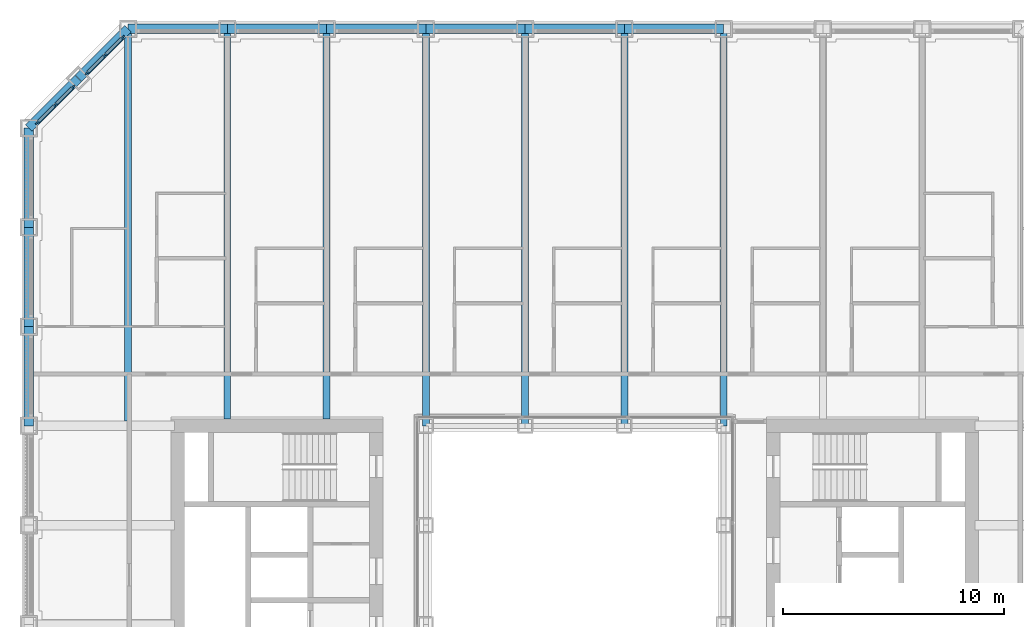
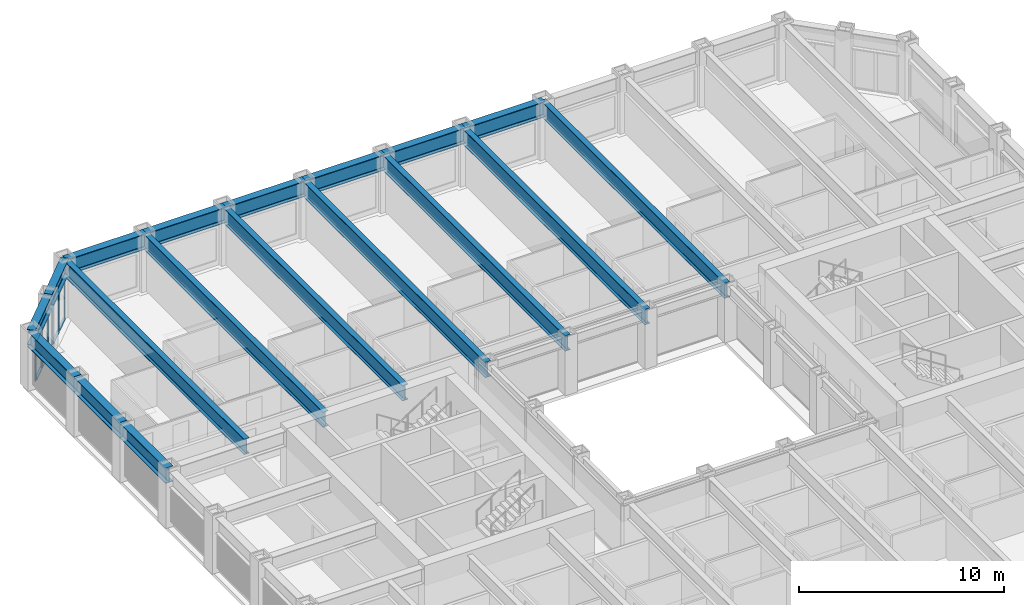
# One storey, part 6 of 21: 18 beams, 14 members, 2 elements without a shape of their own.
"""IFC4 building model written with IfcOpenShell, lengths in metres."""

from ifc_helpers import new_model, si_unit, direction, frame, origin, origin_2d, place, context, subcontext, project, spatial, rectangle, i_section, extrude, material, material_profile, profile_set, type_object, element, aggregate, save


model = new_model("IFC4")

# Units and contexts
model_context = context("Model", 3, precision=1e-05, world=origin(), true_north=direction((0.0, 1.0)))
body_context = subcontext(model_context, "Body", "Model", "MODEL_VIEW")
ifc_project = project(units=[si_unit("LENGTHUNIT", "METRE"), si_unit("AREAUNIT", "SQUARE_METRE"), si_unit("VOLUMEUNIT", "CUBIC_METRE"), si_unit("PLANEANGLEUNIT", "RADIAN"), si_unit("MASSUNIT", "GRAM", prefix="KILO")], contexts=[model_context])

# Site, building, storey
site_placement = place(None, origin())
site = spatial("IfcSite", under=ifc_project, at=site_placement, CompositionType="ELEMENT")
building_placement = place(site_placement, origin())
building = spatial("IfcBuilding", under=site, at=building_placement, Name="Msasa Ring Tower", CompositionType="ELEMENT")
storey_placement = place(building_placement, frame((0.0, 0.0, 30.0)))
storey = spatial("IfcBuildingStorey", under=building, at=storey_placement, Name="L06", CompositionType="ELEMENT", Elevation=30.0)

# Curtain wall, members
ifc_material_1 = material(Name="Aluminium curtain wall with clear glass", Category="aluminium")
curtain_wall_type = type_object("IfcCurtainWallType", Name="CW-C CHAMFER CORNER CURTAIN WALL", PredefinedType="NOTDEFINED", material=ifc_material_1)
curtain_wall_1_placement = place(storey_placement, origin())
curtain_wall_1 = element("IfcCurtainWall", 1, at=curtain_wall_1_placement, inside=storey, type_object=curtain_wall_type, Name="Chamfer corner curtain wall NW L06", PredefinedType="NOTDEFINED")
ifc_material_2 = material(Name="Aluminium mullion", Category="aluminium")
ifc_material_profile_1 = material_profile(ifc_material_2, rectangle(XDim=0.06494140625, YDim=0.179931640625, at=origin_2d()), Name="AL 65x180")
ifc_profile_set_1 = profile_set([ifc_material_profile_1], Name="Aluminium mullion")
member_type_1 = type_object("IfcMemberType", Name="CW-C MULLION 65x180", PredefinedType="MULLION", material=ifc_profile_set_1)
member_1_placement = place(storey_placement, frame((-22.73876953125, 22.119873046875, 0.0), z_axis=(0.0, 0.0, 1.0), x_axis=(0.707106781187, -0.707106781187, 0.0)))
member_1 = element("IfcMember", 2, at=member_1_placement, type_object=member_type_1, Name="CW-C mullion 1", PredefinedType="MULLION", context=body_context, shape_type="SweptSolid", body=[
    extrude(rectangle(XDim=0.06494140625, YDim=0.179931640625, at=origin_2d()), origin(), (0.0, 0.0, 1.0), 2.37890625),
])
member_2_placement = place(storey_placement, frame((-23.55419921875, 21.30419921875, 0.0), z_axis=(0.0, 0.0, 1.0), x_axis=(0.707106781187, -0.707106781187, 0.0)))
member_2 = element("IfcMember", 3, at=member_2_placement, type_object=member_type_1, Name="CW-C mullion 2", PredefinedType="MULLION", context=body_context, shape_type="SweptSolid", body=[
    extrude(rectangle(XDim=0.06494140625, YDim=0.179931640625, at=origin_2d()), origin(), (0.0, 0.0, 1.0), 2.37890625),
])
member_3_placement = place(storey_placement, frame((-24.369873046875, 20.48876953125, 0.0), z_axis=(0.0, 0.0, 1.0), x_axis=(0.707106781187, -0.707106781187, 0.0)))
member_3 = element("IfcMember", 4, at=member_3_placement, type_object=member_type_1, Name="CW-C mullion 3", PredefinedType="MULLION", context=body_context, shape_type="SweptSolid", body=[
    extrude(rectangle(XDim=0.06494140625, YDim=0.179931640625, at=origin_2d()), origin(), (0.0, 0.0, 1.0), 2.37890625),
])

curtain_wall_2_placement = place(storey_placement, origin())
curtain_wall_2 = element("IfcCurtainWall", 5, at=curtain_wall_2_placement, inside=storey, type_object=curtain_wall_type, Name="Chamfer corner curtain wall NW L06", PredefinedType="NOTDEFINED")
member_4_placement = place(storey_placement, frame((-20.48876953125, 24.369873046875, 0.0), z_axis=(0.0, 0.0, 1.0), x_axis=(0.707106781187, -0.707106781187, 0.0)))
member_4 = element("IfcMember", 6, at=member_4_placement, type_object=member_type_1, Name="CW-C mullion 1", PredefinedType="MULLION", context=body_context, shape_type="SweptSolid", body=[
    extrude(rectangle(XDim=0.06494140625, YDim=0.179931640625, at=origin_2d()), origin(), (0.0, 0.0, 1.0), 2.37890625),
])
member_5_placement = place(storey_placement, frame((-21.30419921875, 23.55419921875, 0.0), z_axis=(0.0, 0.0, 1.0), x_axis=(0.707106781187, -0.707106781187, 0.0)))
member_5 = element("IfcMember", 7, at=member_5_placement, type_object=member_type_1, Name="CW-C mullion 2", PredefinedType="MULLION", context=body_context, shape_type="SweptSolid", body=[
    extrude(rectangle(XDim=0.06494140625, YDim=0.179931640625, at=origin_2d()), origin(), (0.0, 0.0, 1.0), 2.37890625),
])
member_6_placement = place(storey_placement, frame((-22.119873046875, 22.73876953125, 0.0), z_axis=(0.0, 0.0, 1.0), x_axis=(0.707106781187, -0.707106781187, 0.0)))
member_6 = element("IfcMember", 8, at=member_6_placement, type_object=member_type_1, Name="CW-C mullion 3", PredefinedType="MULLION", context=body_context, shape_type="SweptSolid", body=[
    extrude(rectangle(XDim=0.06494140625, YDim=0.179931640625, at=origin_2d()), origin(), (0.0, 0.0, 1.0), 2.37890625),
])

# Member
ifc_material_3 = material(Name="Aluminium transom", Category="aluminium")
ifc_material_profile_2 = material_profile(ifc_material_3, rectangle(XDim=0.139892578125, YDim=0.06494140625, at=origin_2d()), Name="AL 65x140")
ifc_profile_set_2 = profile_set([ifc_material_profile_2], Name="Aluminium transom")
member_type_2 = type_object("IfcMemberType", Name="CW-C TRANSOM 65x140", PredefinedType="USERDEFINED", material=ifc_profile_set_2)
member_7_placement = place(storey_placement, frame((-22.76171875, 22.096923828125, 0.032470703125), z_axis=(-0.707106781187, -0.707106781187, 0.0), x_axis=(0.707106781187, -0.707106781187, 0.0)))
member_7 = element("IfcMember", 9, at=member_7_placement, type_object=member_type_2, Name="CW-C transom 1.1", ObjectType="TRANSOM", PredefinedType="USERDEFINED", context=body_context, shape_type="SweptSolid", body=[
    extrude(rectangle(XDim=0.139892578125, YDim=0.06494140625, at=origin_2d()), origin(), (0.0, 0.0, 1.0), 1.08837890625),
])

member_8_placement = place(storey_placement, frame((-22.76171875, 22.096923828125, 2.346435546875), z_axis=(-0.707106781187, -0.707106781187, 0.0), x_axis=(0.707106781187, -0.707106781187, 0.0)))
member_8 = element("IfcMember", 10, at=member_8_placement, type_object=member_type_2, Name="CW-C transom 1.2", ObjectType="TRANSOM", PredefinedType="USERDEFINED", context=body_context, shape_type="SweptSolid", body=[
    extrude(rectangle(XDim=0.139892578125, YDim=0.06494140625, at=origin_2d()), origin(), (0.0, 0.0, 1.0), 1.08837890625),
])

member_9_placement = place(storey_placement, frame((-23.577392578125, 21.28125, 0.032470703125), z_axis=(-0.707106781187, -0.707106781187, 0.0), x_axis=(0.707106781187, -0.707106781187, 0.0)))
member_9 = element("IfcMember", 11, at=member_9_placement, type_object=member_type_2, Name="CW-C transom 2.1", ObjectType="TRANSOM", PredefinedType="USERDEFINED", context=body_context, shape_type="SweptSolid", body=[
    extrude(rectangle(XDim=0.139892578125, YDim=0.06494140625, at=origin_2d()), origin(), (0.0, 0.0, 1.0), 1.08837890625),
])

member_10_placement = place(storey_placement, frame((-23.577392578125, 21.28125, 2.346435546875), z_axis=(-0.707106781187, -0.707106781187, 0.0), x_axis=(0.707106781187, -0.707106781187, 0.0)))
member_10 = element("IfcMember", 12, at=member_10_placement, type_object=member_type_2, Name="CW-C transom 2.2", ObjectType="TRANSOM", PredefinedType="USERDEFINED", context=body_context, shape_type="SweptSolid", body=[
    extrude(rectangle(XDim=0.139892578125, YDim=0.06494140625, at=origin_2d()), origin(), (0.0, 0.0, 1.0), 1.08837890625),
])

aggregate(curtain_wall_1, [member_1, member_2, member_3, member_7, member_8, member_9, member_10])

member_11_placement = place(storey_placement, frame((-20.51171875, 24.346923828125, 0.032470703125), z_axis=(-0.707106781187, -0.707106781187, 0.0), x_axis=(0.707106781187, -0.707106781187, 0.0)))
member_11 = element("IfcMember", 13, at=member_11_placement, type_object=member_type_2, Name="CW-C transom 1.1", ObjectType="TRANSOM", PredefinedType="USERDEFINED", context=body_context, shape_type="SweptSolid", body=[
    extrude(rectangle(XDim=0.139892578125, YDim=0.06494140625, at=origin_2d()), origin(), (0.0, 0.0, 1.0), 1.08837890625),
])

member_12_placement = place(storey_placement, frame((-20.51171875, 24.346923828125, 2.346435546875), z_axis=(-0.707106781187, -0.707106781187, 0.0), x_axis=(0.707106781187, -0.707106781187, 0.0)))
member_12 = element("IfcMember", 14, at=member_12_placement, type_object=member_type_2, Name="CW-C transom 1.2", ObjectType="TRANSOM", PredefinedType="USERDEFINED", context=body_context, shape_type="SweptSolid", body=[
    extrude(rectangle(XDim=0.139892578125, YDim=0.06494140625, at=origin_2d()), origin(), (0.0, 0.0, 1.0), 1.08837890625),
])

member_13_placement = place(storey_placement, frame((-21.327392578125, 23.53125, 0.032470703125), z_axis=(-0.707106781187, -0.707106781187, 0.0), x_axis=(0.707106781187, -0.707106781187, 0.0)))
member_13 = element("IfcMember", 15, at=member_13_placement, type_object=member_type_2, Name="CW-C transom 2.1", ObjectType="TRANSOM", PredefinedType="USERDEFINED", context=body_context, shape_type="SweptSolid", body=[
    extrude(rectangle(XDim=0.139892578125, YDim=0.06494140625, at=origin_2d()), origin(), (0.0, 0.0, 1.0), 1.08837890625),
])

member_14_placement = place(storey_placement, frame((-21.327392578125, 23.53125, 2.346435546875), z_axis=(-0.707106781187, -0.707106781187, 0.0), x_axis=(0.707106781187, -0.707106781187, 0.0)))
member_14 = element("IfcMember", 16, at=member_14_placement, type_object=member_type_2, Name="CW-C transom 2.2", ObjectType="TRANSOM", PredefinedType="USERDEFINED", context=body_context, shape_type="SweptSolid", body=[
    extrude(rectangle(XDim=0.139892578125, YDim=0.06494140625, at=origin_2d()), origin(), (0.0, 0.0, 1.0), 1.08837890625),
])

aggregate(curtain_wall_2, [member_4, member_5, member_6, member_11, member_12, member_13, member_14])

# Beams
ifc_material_4 = material(Name="Steel S355", Category="steel")
ifc_material_profile_3 = material_profile(ifc_material_4, i_section(OverallWidth=0.3076171875, OverallDepth=0.926513671875, WebThickness=0.01953125, FlangeThickness=0.031982421875, FilletRadius=0.01904296875, at=origin_2d()), Name="UB 914x305x289")
ifc_profile_set_3 = profile_set([ifc_material_profile_3], Name="Steel S355")
beam_type_1 = type_object("IfcBeamType", Name="FB3 UB 914x305x289", PredefinedType="BEAM", material=ifc_profile_set_3)
beam_placement = place(storey_placement, frame((-20.25, 24.75, 2.836669921875), z_axis=(0.0, -1.0, 0.0), x_axis=(1.0, 0.0, 0.0)))
element("IfcBeam", 17, at=beam_placement, inside=storey, type_object=beam_type_1, Name="Floor beam N-20.25 under L07", PredefinedType="BEAM", context=body_context, shape_type="SweptSolid", body=[
    extrude(i_section(OverallWidth=0.3076171875, OverallDepth=0.926513671875, WebThickness=0.01953125, FlangeThickness=0.031982421875, FilletRadius=0.01904296875, at=origin_2d()), origin(), (0.0, 0.0, 1.0), 17.789794921875),
])
for number, where, z_axis, x_axis, name in (
    (18, (-15.75, 24.75, 2.836669921875), (0.0, -1.0, 0.0), (1.0, 0.0, 0.0), "Floor beam N-15.75 under L07"),
    (19, (-11.25, 24.75, 2.836669921875), (0.0, -1.0, 0.0), (1.0, 0.0, 0.0), "Floor beam N-11.25 under L07"),
):
    element("IfcBeam", number, at=place(storey_placement, frame(where, z_axis=z_axis, x_axis=x_axis)), inside=storey, type_object=beam_type_1, Name=name, PredefinedType="BEAM", context=body_context, shape_type="SweptSolid", body=[
        extrude(i_section(OverallWidth=0.3076171875, OverallDepth=0.926513671875, WebThickness=0.01953125, FlangeThickness=0.031982421875, FilletRadius=0.01904296875, at=origin_2d()), origin(), (0.0, 0.0, 1.0), 17.699951171875),
    ])
for number, where, z_axis, x_axis, name in (
    (20, (-6.75, 24.75, 2.836669921875), (0.0, -1.0, 0.0), (1.0, 0.0, 0.0), "Floor beam N-6.75 under L07"),
    (21, (-2.25, 24.75, 2.836669921875), (0.0, -1.0, 0.0), (1.0, 0.0, 0.0), "Floor beam N-2.25 under L07"),
    (22, (2.25, 24.75, 2.836669921875), (0.0, -1.0, 0.0), (1.0, 0.0, 0.0), "Floor beam N+2.25 under L07"),
    (23, (6.75, 24.75, 2.836669921875), (0.0, -1.0, 0.0), (1.0, 0.0, 0.0), "Floor beam N+6.75 under L07"),
):
    element("IfcBeam", number, at=place(storey_placement, frame(where, z_axis=z_axis, x_axis=x_axis)), inside=storey, type_object=beam_type_1, Name=name, PredefinedType="BEAM", context=body_context, shape_type="SweptSolid", body=[
        extrude(i_section(OverallWidth=0.3076171875, OverallDepth=0.926513671875, WebThickness=0.01953125, FlangeThickness=0.031982421875, FilletRadius=0.01904296875, at=origin_2d()), origin(), (0.0, 0.0, 1.0), 18.0),
    ])
ifc_material_5 = material(Name="Steel S355", Category="steel")
ifc_material_profile_4 = material_profile(ifc_material_5, i_section(OverallWidth=0.42041015625, OverallDepth=0.9208984375, WebThickness=0.021484375, FlangeThickness=0.03662109375, FilletRadius=0.024169921875, at=origin_2d()), Name="UB 914x419x388")
ifc_profile_set_4 = profile_set([ifc_material_profile_4], Name="Steel S355")
beam_type_2 = type_object("IfcBeamType", Name="SB1 UB 914x419x388", PredefinedType="SPANDREL", material=ifc_profile_set_4)
for number, where, z_axis, x_axis, name in (
    (24, (6.75, 24.75, 2.839599609375), (-1.0, 0.0, 0.0), (0.0, -1.0, 0.0), "Spandrel N+6.75 to N+2.25 under L07"),
    (25, (2.25, 24.75, 2.839599609375), (-1.0, 0.0, 0.0), (0.0, -1.0, 0.0), "Spandrel N+2.25 to N-2.25 under L07"),
    (26, (-2.25, 24.75, 2.839599609375), (-1.0, 0.0, 0.0), (0.0, -1.0, 0.0), "Spandrel N-2.25 to N-6.75 under L07"),
    (27, (-6.75, 24.75, 2.839599609375), (-1.0, 0.0, 0.0), (0.0, -1.0, 0.0), "Spandrel N-6.75 to N-11.25 under L07"),
    (28, (-11.25, 24.75, 2.839599609375), (-1.0, 0.0, 0.0), (0.0, -1.0, 0.0), "Spandrel N-11.25 to N-15.75 under L07"),
    (29, (-15.75, 24.75, 2.839599609375), (-1.0, 0.0, 0.0), (0.0, -1.0, 0.0), "Spandrel N-15.75 to N-20.25 under L07"),
):
    element("IfcBeam", number, at=place(storey_placement, frame(where, z_axis=z_axis, x_axis=x_axis)), inside=storey, type_object=beam_type_2, Name=name, PredefinedType="SPANDREL", context=body_context, shape_type="SweptSolid", body=[
        extrude(i_section(OverallWidth=0.42041015625, OverallDepth=0.9208984375, WebThickness=0.021484375, FlangeThickness=0.03662109375, FilletRadius=0.024169921875, at=origin_2d()), origin(), (0.0, 0.0, 1.0), 4.5),
    ])
for number, where, z_axis, x_axis, name in (
    (30, (-20.25, 24.75, 2.839599609375), (-0.707106781187, -0.707106781187, 0.0), (0.707106781187, -0.707106781187, 0.0), "Spandrel N-20.25 to NW under L07"),
    (31, (-22.5, 22.5, 2.839599609375), (-0.707106781187, -0.707106781187, 0.0), (0.707106781187, -0.707106781187, 0.0), "Spandrel NW to W+20.25 under L07"),
):
    element("IfcBeam", number, at=place(storey_placement, frame(where, z_axis=z_axis, x_axis=x_axis)), inside=storey, type_object=beam_type_2, Name=name, PredefinedType="SPANDREL", context=body_context, shape_type="SweptSolid", body=[
        extrude(i_section(OverallWidth=0.42041015625, OverallDepth=0.9208984375, WebThickness=0.021484375, FlangeThickness=0.03662109375, FilletRadius=0.024169921875, at=origin_2d()), origin(), (0.0, 0.0, 1.0), 3.181884765625),
    ])
for number, where, z_axis, x_axis, name in (
    (32, (-24.75, 20.25, 2.839599609375), (0.0, -1.0, 0.0), (1.0, 0.0, 0.0), "Spandrel W+20.25 to W+15.75 under L07"),
    (33, (-24.75, 15.75, 2.839599609375), (0.0, -1.0, 0.0), (1.0, 0.0, 0.0), "Spandrel W+15.75 to W+11.25 under L07"),
    (34, (-24.75, 11.25, 2.839599609375), (0.0, -1.0, 0.0), (1.0, 0.0, 0.0), "Spandrel W+11.25 to W+6.75 under L07"),
):
    element("IfcBeam", number, at=place(storey_placement, frame(where, z_axis=z_axis, x_axis=x_axis)), inside=storey, type_object=beam_type_2, Name=name, PredefinedType="SPANDREL", context=body_context, shape_type="SweptSolid", body=[
        extrude(i_section(OverallWidth=0.42041015625, OverallDepth=0.9208984375, WebThickness=0.021484375, FlangeThickness=0.03662109375, FilletRadius=0.024169921875, at=origin_2d()), origin(), (0.0, 0.0, 1.0), 4.5),
    ])

save(model, "model.ifc")
